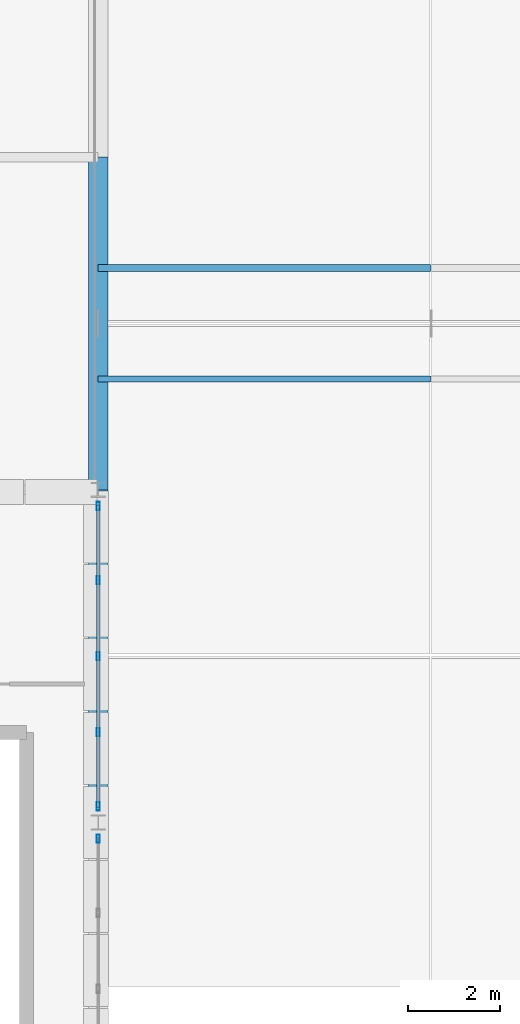
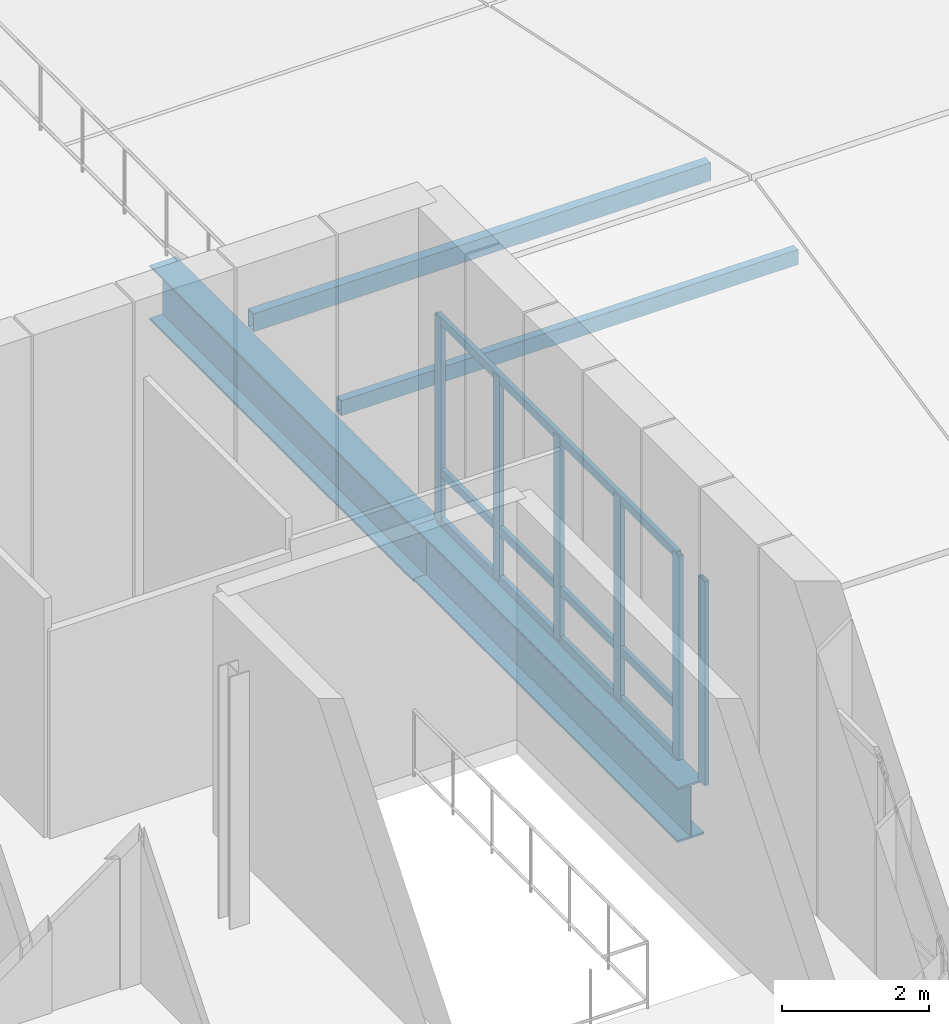
# One storey, part 12 of 47: 11 members, 2 beams, 2 elements without a shape of their own.
"""IFC4 building model written with IfcOpenShell, lengths in metres."""

from ifc_helpers import new_model, si_unit, direction, frame, origin, origin_2d, place, context, subcontext, project, spatial, hollow_rectangle, i_section, extrude, material, material_profile, profile_set, type_object, element, aggregate, save


model = new_model("IFC4")

# Units and contexts
model_context = context("Model", 3, precision=1e-05, world=origin(), true_north=direction((0.0, 1.0)))
body_context = subcontext(model_context, "Body", "Model", "MODEL_VIEW")
ifc_project = project(units=[si_unit("LENGTHUNIT", "METRE"), si_unit("AREAUNIT", "SQUARE_METRE"), si_unit("VOLUMEUNIT", "CUBIC_METRE"), si_unit("PLANEANGLEUNIT", "RADIAN"), si_unit("MASSUNIT", "GRAM", prefix="KILO")], contexts=[model_context])

# Site, building, storey
site_placement = place(None, origin())
site = spatial("IfcSite", under=ifc_project, at=site_placement, CompositionType="ELEMENT")
building_placement = place(site_placement, origin())
building = spatial("IfcBuilding", under=site, at=building_placement, Name="Yarey Park Central Fire Station", CompositionType="ELEMENT")
storey_placement = place(building_placement, frame((0.0, 0.0, 18.0)))
storey = spatial("IfcBuildingStorey", under=building, at=storey_placement, Name="L05", CompositionType="ELEMENT", Elevation=18.0)

# Curtain wall, member
ifc_material_1 = material(Name="Anodized Aluminium Frame", Category="aluminium")
curtain_wall_type = type_object("IfcCurtainWallType", Name="ENV_CW_V3_PAV", PredefinedType="NOTDEFINED", material=ifc_material_1)
curtain_wall_1_placement = place(storey_placement, origin())
curtain_wall_1 = element("IfcCurtainWall", 1, at=curtain_wall_1_placement, inside=storey, type_object=curtain_wall_type, Name="CW_L05_V3_E_084", PredefinedType="NOTDEFINED")
ifc_material_profile_1 = material_profile(ifc_material_1, hollow_rectangle(XDim=0.070068359375, YDim=0.179931640625, WallThickness=0.00390625, at=origin_2d()), Name="ALU 180x70x4")
ifc_profile_set_1 = profile_set([ifc_material_profile_1], Name="Anodized Aluminium Frame")
member_type_1 = type_object("IfcMemberType", Name="ENV_CW_MULLION", PredefinedType="MULLION", material=ifc_profile_set_1)
member_1_placement = place(storey_placement, frame((57.60009765625, 64.449951171875, 0.0), z_axis=(0.0, 0.0, 1.0), x_axis=(1.0, 0.0, 0.0)))
member_1 = element("IfcMember", 2, at=member_1_placement, type_object=member_type_1, Name="CW_L05_V3_E_084_MUL5", PredefinedType="MULLION", context=body_context, shape_type="SweptSolid", body=[
    extrude(hollow_rectangle(XDim=0.070068359375, YDim=0.179931640625, WallThickness=0.00390625, at=origin_2d()), origin(), (0.0, 0.0, 1.0), 3.39990234375),
])
aggregate(curtain_wall_1, [member_1])

# Curtain wall, members
curtain_wall_2_placement = place(storey_placement, origin())
curtain_wall_2 = element("IfcCurtainWall", 3, at=curtain_wall_2_placement, inside=storey, type_object=curtain_wall_type, Name="CW_L05_V3_E_086", PredefinedType="NOTDEFINED")
member_2_placement = place(storey_placement, frame((57.60009765625, 65.14990234375, 0.0), z_axis=(0.0, 0.0, 1.0), x_axis=(1.0, 0.0, 0.0)))
member_2 = element("IfcMember", 4, at=member_2_placement, type_object=member_type_1, Name="CW_L05_V3_E_086_MUL1", PredefinedType="MULLION", context=body_context, shape_type="SweptSolid", body=[
    extrude(hollow_rectangle(XDim=0.070068359375, YDim=0.179931640625, WallThickness=0.00390625, at=origin_2d()), origin(), (0.0, 0.0, 1.0), 3.39990234375),
])
member_3_placement = place(storey_placement, frame((57.60009765625, 66.7548828125, 0.0), z_axis=(0.0, 0.0, 1.0), x_axis=(1.0, 0.0, 0.0)))
member_3 = element("IfcMember", 5, at=member_3_placement, type_object=member_type_1, Name="CW_L05_V3_E_086_MUL2", PredefinedType="MULLION", context=body_context, shape_type="SweptSolid", body=[
    extrude(hollow_rectangle(XDim=0.070068359375, YDim=0.179931640625, WallThickness=0.00390625, at=origin_2d()), origin(), (0.0, 0.0, 1.0), 3.39990234375),
])
member_4_placement = place(storey_placement, frame((57.60009765625, 68.39990234375, 0.0), z_axis=(0.0, 0.0, 1.0), x_axis=(1.0, 0.0, 0.0)))
member_4 = element("IfcMember", 6, at=member_4_placement, type_object=member_type_1, Name="CW_L05_V3_E_086_MUL3", PredefinedType="MULLION", context=body_context, shape_type="SweptSolid", body=[
    extrude(hollow_rectangle(XDim=0.070068359375, YDim=0.179931640625, WallThickness=0.00390625, at=origin_2d()), origin(), (0.0, 0.0, 1.0), 3.39990234375),
])
member_5_placement = place(storey_placement, frame((57.60009765625, 70.044921875, 0.0), z_axis=(0.0, 0.0, 1.0), x_axis=(1.0, 0.0, 0.0)))
member_5 = element("IfcMember", 7, at=member_5_placement, type_object=member_type_1, Name="CW_L05_V3_E_086_MUL4", PredefinedType="MULLION", context=body_context, shape_type="SweptSolid", body=[
    extrude(hollow_rectangle(XDim=0.070068359375, YDim=0.179931640625, WallThickness=0.00390625, at=origin_2d()), origin(), (0.0, 0.0, 1.0), 3.39990234375),
])
member_6_placement = place(storey_placement, frame((57.60009765625, 71.64990234375, 0.0), z_axis=(0.0, 0.0, 1.0), x_axis=(1.0, 0.0, 0.0)))
member_6 = element("IfcMember", 8, at=member_6_placement, type_object=member_type_1, Name="CW_L05_V3_E_086_MUL5", PredefinedType="MULLION", context=body_context, shape_type="SweptSolid", body=[
    extrude(hollow_rectangle(XDim=0.070068359375, YDim=0.179931640625, WallThickness=0.00390625, at=origin_2d()), origin(), (0.0, 0.0, 1.0), 3.39990234375),
])
ifc_material_profile_2 = material_profile(ifc_material_1, hollow_rectangle(XDim=0.070068359375, YDim=0.139892578125, WallThickness=0.00390625, at=origin_2d()), Name="ALU 140x70x4")
ifc_profile_set_2 = profile_set([ifc_material_profile_2], Name="Anodized Aluminium Frame")
member_type_2 = type_object("IfcMemberType", Name="ENV_CW_TRANSOM", PredefinedType="USERDEFINED", material=ifc_profile_set_2)
member_7_placement = place(storey_placement, frame((57.60009765625, 65.125, 0.02490234375), z_axis=(0.0, 1.0, 0.0), x_axis=(-1.0, 0.0, 0.0)))
member_7 = element("IfcMember", 9, at=member_7_placement, type_object=member_type_2, Name="CW_L05_V3_E_086_TRN1", ObjectType="TRANSOM", PredefinedType="USERDEFINED", context=body_context, shape_type="SweptSolid", body=[
    extrude(hollow_rectangle(XDim=0.070068359375, YDim=0.139892578125, WallThickness=0.00390625, at=origin_2d()), origin(), (0.0, 0.0, 1.0), 6.550048828125),
])
member_8_placement = place(storey_placement, frame((57.60009765625, 65.125, 0.85009765625), z_axis=(0.0, 1.0, 0.0), x_axis=(-1.0, 0.0, 0.0)))
member_8 = element("IfcMember", 10, at=member_8_placement, type_object=member_type_2, Name="CW_L05_V3_E_086_TRN2", ObjectType="TRANSOM", PredefinedType="USERDEFINED", context=body_context, shape_type="SweptSolid", body=[
    extrude(hollow_rectangle(XDim=0.070068359375, YDim=0.139892578125, WallThickness=0.00390625, at=origin_2d()), origin(), (0.0, 0.0, 1.0), 6.550048828125),
])
member_9_placement = place(storey_placement, frame((57.60009765625, 65.125, 3.375), z_axis=(0.0, 1.0, 0.0), x_axis=(-1.0, 0.0, 0.0)))
member_9 = element("IfcMember", 11, at=member_9_placement, type_object=member_type_2, Name="CW_L05_V3_E_086_TRN3", ObjectType="TRANSOM", PredefinedType="USERDEFINED", context=body_context, shape_type="SweptSolid", body=[
    extrude(hollow_rectangle(XDim=0.070068359375, YDim=0.139892578125, WallThickness=0.00390625, at=origin_2d()), origin(), (0.0, 0.0, 1.0), 6.550048828125),
])
aggregate(curtain_wall_2, [member_2, member_3, member_4, member_5, member_6, member_7, member_8, member_9])

# Beams
ifc_material_2 = material(Name="Steel ASTM A992 Gr. 50", Category="steel")
ifc_material_profile_3 = material_profile(ifc_material_2, i_section(OverallWidth=0.41796875, OverallDepth=0.912109375, WebThickness=0.019287109375, FlangeThickness=0.031982421875, at=origin_2d()), Name="W920x342")
ifc_profile_set_3 = profile_set([ifc_material_profile_3], Name="Steel ASTM A992 Gr. 50")
beam_type = type_object("IfcBeamType", Name="STR_BM_W920E", PredefinedType="BEAM", material=ifc_profile_set_3)
for number, where, z_axis, x_axis, name in (
    (12, (57.60009765625, 64.800048828125, -0.696044921875), (0.0, 1.0, 0.0), (-1.0, 0.0, 0.0), "Transfer Truss TT5 L05 CH2"),
    (13, (57.60009765625, 72.0, -0.720947265625), (0.0, 1.0, 0.0), (-1.0, 0.0, 0.0), "Transfer Truss TT5 L05 CH3"),
):
    element("IfcBeam", number, at=place(storey_placement, frame(where, z_axis=z_axis, x_axis=x_axis)), inside=storey, type_object=beam_type, Name=name, PredefinedType="BEAM", context=body_context, shape_type="SweptSolid", body=[
        extrude(i_section(OverallWidth=0.41796875, OverallDepth=0.912109375, WebThickness=0.019287109375, FlangeThickness=0.031982421875, at=origin_2d()), origin(), (0.0, 0.0, 1.0), 7.199951171875),
    ])

# Members
ifc_material_3 = material(Name="Steel ASTM A500 Gr. C", Category="steel")
ifc_material_profile_4 = material_profile(ifc_material_3, hollow_rectangle(XDim=0.125, YDim=0.25, WallThickness=0.008056640625, at=origin_2d()), Name="HSS 250x125x8")
ifc_profile_set_4 = profile_set([ifc_material_profile_4], Name="Steel ASTM A500 Gr. C")
member_type_3 = type_object("IfcMemberType", Name="STR_GIRT_HSS250", PredefinedType="PURLIN", material=ifc_profile_set_4)
member_10_placement = place(storey_placement, frame((57.60009765625, 74.39990234375, 0.224365234375), z_axis=(1.0, 0.0, 0.0), x_axis=(0.0, 1.0, 0.0)))
element("IfcMember", 14, at=member_10_placement, inside=storey, type_object=member_type_3, Name="PUR_ARCH_B01_4", PredefinedType="PURLIN", context=body_context, shape_type="SweptSolid", body=[
    extrude(hollow_rectangle(XDim=0.125, YDim=0.25, WallThickness=0.008056640625, at=origin_2d()), origin(), (0.0, 0.0, 1.0), 7.199951171875),
])
ifc_material_profile_5 = material_profile(ifc_material_3, hollow_rectangle(XDim=0.14990234375, YDim=0.300048828125, WallThickness=0.010009765625, at=origin_2d()), Name="HSS 300x150x10")
ifc_profile_set_5 = profile_set([ifc_material_profile_5], Name="Steel ASTM A500 Gr. C")
member_type_4 = type_object("IfcMemberType", Name="STR_PUR_HSS300", PredefinedType="PURLIN", material=ifc_profile_set_5)
member_11_placement = place(storey_placement, frame((57.60009765625, 76.800048828125, 0.19921875), z_axis=(1.0, 0.0, 0.0), x_axis=(0.0, 1.0, 0.0)))
element("IfcMember", 15, at=member_11_placement, inside=storey, type_object=member_type_4, Name="PUR_ARCH_B01_5", PredefinedType="PURLIN", context=body_context, shape_type="SweptSolid", body=[
    extrude(hollow_rectangle(XDim=0.14990234375, YDim=0.300048828125, WallThickness=0.010009765625, at=origin_2d()), origin(), (0.0, 0.0, 1.0), 7.199951171875),
])

save(model, "model.ifc")
